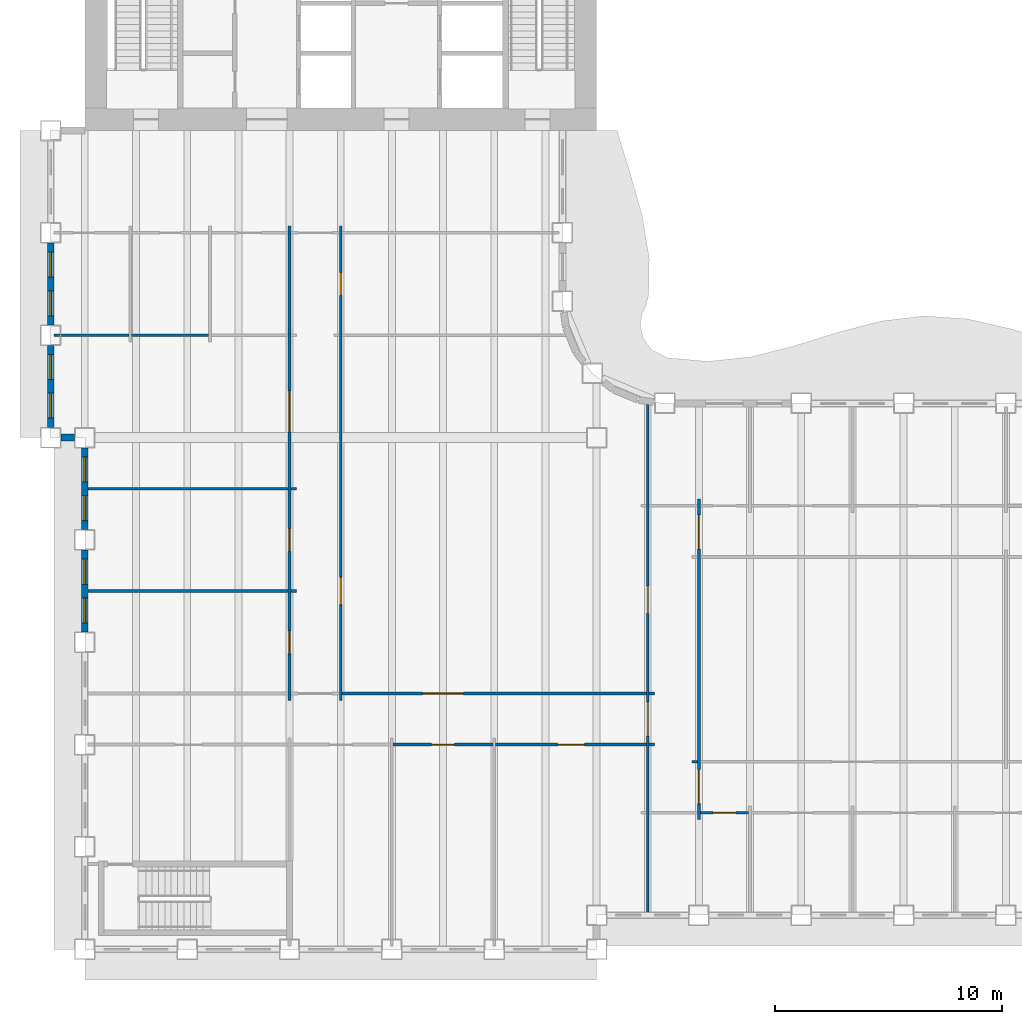
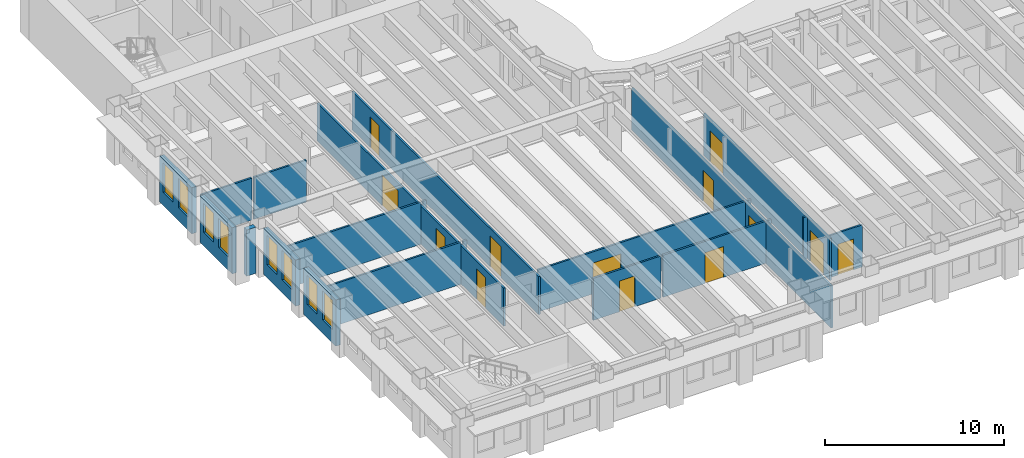
# One storey, part 4 of 16: 22 walls, 13 doors, 8 windows, 21 openings.
"""IFC4 building model written with IfcOpenShell, lengths in metres."""

from ifc_helpers import new_model, si_unit, direction, frame, frame_2d, origin, place, context, subcontext, project, spatial, rectangle, extrude, material, layer, layer_set, type_object, element, fill, save


model = new_model("IFC4")

# Units and contexts
model_context = context("Model", 3, precision=1e-05, world=origin(), true_north=direction((0.0, 1.0)))
body_context = subcontext(model_context, "Body", "Model", "MODEL_VIEW")
ifc_project = project(units=[si_unit("LENGTHUNIT", "METRE"), si_unit("AREAUNIT", "SQUARE_METRE"), si_unit("VOLUMEUNIT", "CUBIC_METRE"), si_unit("PLANEANGLEUNIT", "RADIAN"), si_unit("MASSUNIT", "GRAM", prefix="KILO")], contexts=[model_context])

# Site, building, storey
site_placement = place(None, origin())
site = spatial("IfcSite", under=ifc_project, at=site_placement, CompositionType="ELEMENT")
building_placement = place(site_placement, origin())
building = spatial("IfcBuilding", under=site, at=building_placement, Name="Sennacour Bend Tower", CompositionType="ELEMENT")
storey_placement = place(building_placement, frame((0.0, 0.0, 163.0)))
storey = spatial("IfcBuildingStorey", under=building, at=storey_placement, Name="L37", CompositionType="ELEMENT", Elevation=163.0)

# Wall, openings, doors
ifc_material_1 = material(Name="Plasterboard partition on steel studs", Category="steel")
ifc_layer_1 = layer(ifc_material_1, 0.1201171875, Name="Plasterboard partition on steel studs", Category="steel")
ifc_layer_set_1 = layer_set([ifc_layer_1], Name="Plasterboard partition on steel studs")
wall_type_1 = type_object("IfcWallType", Name="Partition 120", PredefinedType="PARTITIONING", material=ifc_layer_set_1)
wall_1_placement = place(storey_placement, frame((9.0, 10.949951171875, 0.0), z_axis=(0.0, 0.0, 1.0), x_axis=(0.0, 1.0, 0.0)))
wall_1 = element("IfcWall", 1, at=wall_1_placement, inside=storey, type_object=wall_type_1, Name="P-L37-W012a", PredefinedType="PARTITIONING", context=body_context, shape_type="SweptSolid", body=[
    extrude(rectangle(XDim=20.85009765625, YDim=0.1201171875, at=frame_2d((10.425048828125, 0.0))), origin(), (0.0, 0.0, 1.0), 2.60009765625),
])
opening_1_placement = place(wall_1_placement, frame((2.050048828125, 0.0, 0.0)))
opening_1 = element("IfcOpeningElement", 2, at=opening_1_placement, cuts=wall_1, Name="Opening OD2", PredefinedType="OPENING", context=body_context, shape_type="SweptSolid", body=[
    extrude(rectangle(XDim=1.0, YDim=2.10009765625, at=frame_2d((0.5, 1.050048828125))), frame((0.0, 0.070068359375, 0.0), z_axis=(0.0, -1.0, 0.0), x_axis=(1.0, 0.0, 0.0)), (0.0, 0.0, 1.0), 0.14013671875),
])
opening_2_placement = place(wall_1_placement, frame((6.550048828125, 0.0, 0.0)))
opening_2 = element("IfcOpeningElement", 3, at=opening_2_placement, cuts=wall_1, Name="Opening OD2", PredefinedType="OPENING", context=body_context, shape_type="SweptSolid", body=[
    extrude(rectangle(XDim=1.0, YDim=2.10009765625, at=frame_2d((0.5, 1.050048828125))), frame((0.0, 0.070068359375, 0.0), z_axis=(0.0, -1.0, 0.0), x_axis=(1.0, 0.0, 0.0)), (0.0, 0.0, 1.0), 0.14013671875),
])
opening_3_placement = place(wall_1_placement, frame((11.804931640625, 0.0, 0.0)))
opening_3 = element("IfcOpeningElement", 4, at=opening_3_placement, cuts=wall_1, Name="Opening OD3", PredefinedType="OPENING", context=body_context, shape_type="SweptSolid", body=[
    extrude(rectangle(XDim=1.800048828125, YDim=2.10009765625, at=frame_2d((0.89990234375, 1.050048828125))), frame((0.0, 0.070068359375, 0.0), z_axis=(0.0, -1.0, 0.0), x_axis=(1.0, 0.0, 0.0)), (0.0, 0.0, 1.0), 0.14013671875),
])
ifc_material_2 = material(Name="Timber", Category="wood")
door_type_1 = type_object("IfcDoorType", Name="DR-OFFICE-1000", OperationType="NOTDEFINED", PredefinedType="DOOR", material=ifc_material_2)
door_1_placement = place(opening_1_placement, origin())
door_1 = element("IfcDoor", 5, at=door_1_placement, inside=storey, type_object=door_type_1, Name="Door", OperationType="SINGLE_SWING_LEFT", OverallHeight=2.10009765625, OverallWidth=1.0, PredefinedType="DOOR", context=body_context, shape_type="SweptSolid", body=[
    extrude(rectangle(XDim=1.0, YDim=2.10009765625, at=frame_2d((0.5, 1.050048828125))), frame((0.0, 0.02490234375, 0.0), z_axis=(0.0, -1.0, 0.0), x_axis=(1.0, 0.0, 0.0)), (0.0, 0.0, 1.0), 0.050048828125),
])
fill(opening_1, door_1)
door_2_placement = place(opening_2_placement, origin())
door_2 = element("IfcDoor", 6, at=door_2_placement, inside=storey, type_object=door_type_1, Name="Door", OperationType="SINGLE_SWING_LEFT", OverallHeight=2.10009765625, OverallWidth=1.0, PredefinedType="DOOR", context=body_context, shape_type="SweptSolid", body=[
    extrude(rectangle(XDim=1.0, YDim=2.10009765625, at=frame_2d((0.5, 1.050048828125))), frame((0.0, 0.02490234375, 0.0), z_axis=(0.0, -1.0, 0.0), x_axis=(1.0, 0.0, 0.0)), (0.0, 0.0, 1.0), 0.050048828125),
])
fill(opening_2, door_2)
door_type_2 = type_object("IfcDoorType", Name="DR-OFFICE-1800", OperationType="NOTDEFINED", PredefinedType="DOOR", material=ifc_material_2)
door_3_placement = place(opening_3_placement, origin())
door_3 = element("IfcDoor", 7, at=door_3_placement, inside=storey, type_object=door_type_2, Name="Door", OperationType="DOUBLE_DOOR_SINGLE_SWING", OverallHeight=2.10009765625, OverallWidth=1.800048828125, PredefinedType="DOOR", context=body_context, shape_type="SweptSolid", body=[
    extrude(rectangle(XDim=1.800048828125, YDim=2.10009765625, at=frame_2d((0.89990234375, 1.050048828125))), frame((0.0, 0.02490234375, 0.0), z_axis=(0.0, -1.0, 0.0), x_axis=(1.0, 0.0, 0.0)), (0.0, 0.0, 1.0), 0.050048828125),
])
fill(opening_3, door_3)

wall_2_placement = place(storey_placement, frame((11.25, 10.949951171875, 0.0), z_axis=(0.0, 0.0, 1.0), x_axis=(0.0, 1.0, 0.0)))
wall_2 = element("IfcWall", 8, at=wall_2_placement, inside=storey, type_object=wall_type_1, Name="P-L37-W014a", PredefinedType="PARTITIONING", context=body_context, shape_type="SweptSolid", body=[
    extrude(rectangle(XDim=20.85009765625, YDim=0.1201171875, at=frame_2d((10.425048828125, 0.0))), origin(), (0.0, 0.0, 1.0), 2.60009765625),
])
opening_4_placement = place(wall_2_placement, frame((17.800048828125, 0.0, 0.0)))
opening_4 = element("IfcOpeningElement", 9, at=opening_4_placement, cuts=wall_2, Name="Opening OD2", PredefinedType="OPENING", context=body_context, shape_type="SweptSolid", body=[
    extrude(rectangle(XDim=1.0, YDim=2.10009765625, at=frame_2d((0.5, 1.050048828125))), frame((0.0, 0.070068359375, 0.0), z_axis=(0.0, -1.0, 0.0), x_axis=(1.0, 0.0, 0.0)), (0.0, 0.0, 1.0), 0.14013671875),
])
opening_5_placement = place(wall_2_placement, frame((4.199951171875, 0.0, 0.0)))
opening_5 = element("IfcOpeningElement", 10, at=opening_5_placement, cuts=wall_2, Name="Opening OD", PredefinedType="OPENING", context=body_context, shape_type="SweptSolid", body=[
    extrude(rectangle(XDim=1.199951171875, YDim=2.10009765625, at=frame_2d((0.60009765625, 1.050048828125))), frame((0.0, 0.070068359375, 0.0), z_axis=(0.0, -1.0, 0.0), x_axis=(1.0, 0.0, 0.0)), (0.0, 0.0, 1.0), 0.14013671875),
])
door_4_placement = place(opening_4_placement, origin())
door_4 = element("IfcDoor", 11, at=door_4_placement, inside=storey, type_object=door_type_1, Name="Door", OperationType="SINGLE_SWING_RIGHT", OverallHeight=2.10009765625, OverallWidth=1.0, PredefinedType="DOOR", context=body_context, shape_type="SweptSolid", body=[
    extrude(rectangle(XDim=1.0, YDim=2.10009765625, at=frame_2d((0.5, 1.050048828125))), frame((0.0, 0.02490234375, 0.0), z_axis=(0.0, -1.0, 0.0), x_axis=(1.0, 0.0, 0.0)), (0.0, 0.0, 1.0), 0.050048828125),
])
fill(opening_4, door_4)
door_type_3 = type_object("IfcDoorType", Name="DR-OFFICE-1200", OperationType="NOTDEFINED", PredefinedType="DOOR", material=ifc_material_2)
door_5_placement = place(opening_5_placement, origin())
door_5 = element("IfcDoor", 12, at=door_5_placement, inside=storey, type_object=door_type_3, Name="Door", OperationType="SINGLE_SWING_LEFT", OverallHeight=2.10009765625, OverallWidth=1.199951171875, PredefinedType="DOOR", context=body_context, shape_type="SweptSolid", body=[
    extrude(rectangle(XDim=1.199951171875, YDim=2.10009765625, at=frame_2d((0.60009765625, 1.050048828125))), frame((0.0, 0.02490234375, 0.0), z_axis=(0.0, -1.0, 0.0), x_axis=(1.0, 0.0, 0.0)), (0.0, 0.0, 1.0), 0.050048828125),
])
fill(opening_5, door_5)

# Wall, opening, door
wall_3_placement = place(storey_placement, frame((27.06005859375, 6.0, 0.0), z_axis=(0.0, 0.0, 1.0), x_axis=(1.0, 0.0, 0.0)))
wall_3 = element("IfcWall", 13, at=wall_3_placement, inside=storey, type_object=wall_type_1, Name="P-L37-W058ac", PredefinedType="PARTITIONING", context=body_context, shape_type="SweptSolid", body=[
    extrude(rectangle(XDim=2.1298828125, YDim=0.1201171875, at=frame_2d((1.06494140625, 0.0))), origin(), (0.0, 0.0, 1.0), 2.8701171875),
])
opening_6_placement = place(wall_3_placement, frame((0.56494140625, 0.0, 0.0)))
opening_6 = element("IfcOpeningElement", 14, at=opening_6_placement, cuts=wall_3, Name="Opening OD2", PredefinedType="OPENING", context=body_context, shape_type="SweptSolid", body=[
    extrude(rectangle(XDim=1.0, YDim=2.10009765625, at=frame_2d((0.5, 1.050048828125))), frame((0.0, 0.070068359375, 0.0), z_axis=(0.0, -1.0, 0.0), x_axis=(1.0, 0.0, 0.0)), (0.0, 0.0, 1.0), 0.14013671875),
])
door_6_placement = place(opening_6_placement, origin())
door_6 = element("IfcDoor", 15, at=door_6_placement, inside=storey, type_object=door_type_1, Name="Door", OperationType="SINGLE_SWING_LEFT", OverallHeight=2.10009765625, OverallWidth=1.0, PredefinedType="DOOR", context=body_context, shape_type="SweptSolid", body=[
    extrude(rectangle(XDim=1.0, YDim=2.10009765625, at=frame_2d((0.5, 1.050048828125))), frame((0.0, 0.02490234375, 0.0), z_axis=(0.0, -1.0, 0.0), x_axis=(1.0, 0.0, 0.0)), (0.0, 0.0, 1.0), 0.050048828125),
])
fill(opening_6, door_6)

# Wall
wall_4_placement = place(storey_placement, frame((26.699951171875, 8.25, 0.0), z_axis=(0.0, 0.0, 1.0), x_axis=(1.0, 0.0, 0.0)))
element("IfcWall", 16, at=wall_4_placement, inside=storey, type_object=wall_type_1, Name="P-L37-W060aa", PredefinedType="PARTITIONING", context=body_context, shape_type="SweptSolid", body=[
    extrude(rectangle(XDim=0.239990234375, YDim=0.1201171875, at=frame_2d((0.1201171875, 0.0))), origin(), (0.0, 0.0, 1.0), 2.8701171875),
])

# Wall, opening, door
wall_5_placement = place(storey_placement, frame((13.56005859375, 9.0, 0.0), z_axis=(0.0, 0.0, 1.0), x_axis=(1.0, 0.0, 0.0)))
wall_5 = element("IfcWall", 17, at=wall_5_placement, inside=storey, type_object=wall_type_1, Name="P-L37-W061ac", PredefinedType="PARTITIONING", context=body_context, shape_type="SweptSolid", body=[
    extrude(rectangle(XDim=4.3798828125, YDim=0.1201171875, at=frame_2d((2.18994140625, 0.0))), origin(), (0.0, 0.0, 1.0), 2.8701171875),
])
opening_7_placement = place(wall_5_placement, frame((1.68994140625, 0.0, 0.0)))
opening_7 = element("IfcOpeningElement", 18, at=opening_7_placement, cuts=wall_5, Name="Opening OD2", PredefinedType="OPENING", context=body_context, shape_type="SweptSolid", body=[
    extrude(rectangle(XDim=1.0, YDim=2.10009765625, at=frame_2d((0.5, 1.050048828125))), frame((0.0, 0.070068359375, 0.0), z_axis=(0.0, -1.0, 0.0), x_axis=(1.0, 0.0, 0.0)), (0.0, 0.0, 1.0), 0.14013671875),
])
door_7_placement = place(opening_7_placement, origin())
door_7 = element("IfcDoor", 19, at=door_7_placement, inside=storey, type_object=door_type_1, Name="Door", OperationType="SINGLE_SWING_LEFT", OverallHeight=2.10009765625, OverallWidth=1.0, PredefinedType="DOOR", context=body_context, shape_type="SweptSolid", body=[
    extrude(rectangle(XDim=1.0, YDim=2.10009765625, at=frame_2d((0.5, 1.050048828125))), frame((0.0, 0.02490234375, 0.0), z_axis=(0.0, -1.0, 0.0), x_axis=(1.0, 0.0, 0.0)), (0.0, 0.0, 1.0), 0.050048828125),
])
fill(opening_7, door_7)

wall_6_placement = place(storey_placement, frame((18.06005859375, 9.0, 0.0), z_axis=(0.0, 0.0, 1.0), x_axis=(1.0, 0.0, 0.0)))
wall_6 = element("IfcWall", 20, at=wall_6_placement, inside=storey, type_object=wall_type_1, Name="P-L37-W061ad", PredefinedType="PARTITIONING", context=body_context, shape_type="SweptSolid", body=[
    extrude(rectangle(XDim=6.6298828125, YDim=0.1201171875, at=frame_2d((3.31494140625, 0.0))), origin(), (0.0, 0.0, 1.0), 2.8701171875),
])
opening_8_placement = place(wall_6_placement, frame((2.71484375, 0.0, 0.0)))
opening_8 = element("IfcOpeningElement", 21, at=opening_8_placement, cuts=wall_6, Name="Opening OD", PredefinedType="OPENING", context=body_context, shape_type="SweptSolid", body=[
    extrude(rectangle(XDim=1.199951171875, YDim=2.10009765625, at=frame_2d((0.60009765625, 1.050048828125))), frame((0.0, 0.070068359375, 0.0), z_axis=(0.0, -1.0, 0.0), x_axis=(1.0, 0.0, 0.0)), (0.0, 0.0, 1.0), 0.14013671875),
])
door_8_placement = place(opening_8_placement, origin())
door_8 = element("IfcDoor", 22, at=door_8_placement, inside=storey, type_object=door_type_3, Name="Door", OperationType="SINGLE_SWING_LEFT", OverallHeight=2.10009765625, OverallWidth=1.199951171875, PredefinedType="DOOR", context=body_context, shape_type="SweptSolid", body=[
    extrude(rectangle(XDim=1.199951171875, YDim=2.10009765625, at=frame_2d((0.60009765625, 1.050048828125))), frame((0.0, 0.02490234375, 0.0), z_axis=(0.0, -1.0, 0.0), x_axis=(1.0, 0.0, 0.0)), (0.0, 0.0, 1.0), 0.050048828125),
])
fill(opening_8, door_8)

# Wall
wall_7_placement = place(storey_placement, frame((24.81005859375, 9.0, 0.0), z_axis=(0.0, 0.0, 1.0), x_axis=(1.0, 0.0, 0.0)))
element("IfcWall", 23, at=wall_7_placement, inside=storey, type_object=wall_type_1, Name="P-L37-W061ae", PredefinedType="PARTITIONING", context=body_context, shape_type="SweptSolid", body=[
    extrude(rectangle(XDim=0.239990234375, YDim=0.1201171875, at=frame_2d((0.1201171875, 0.0))), origin(), (0.0, 0.0, 1.0), 2.8701171875),
])

# Wall, opening, door
wall_8_placement = place(storey_placement, frame((11.31005859375, 11.25, 0.0), z_axis=(0.0, 0.0, 1.0), x_axis=(1.0, 0.0, 0.0)))
wall_8 = element("IfcWall", 24, at=wall_8_placement, inside=storey, type_object=wall_type_1, Name="P-L37-W063ac", PredefinedType="PARTITIONING", context=body_context, shape_type="SweptSolid", body=[
    extrude(rectangle(XDim=13.3798828125, YDim=0.1201171875, at=frame_2d((6.68994140625, 0.0))), origin(), (0.0, 0.0, 1.0), 2.8701171875),
])
opening_9_placement = place(wall_8_placement, frame((3.539794921875, 0.0, 0.0)))
opening_9 = element("IfcOpeningElement", 25, at=opening_9_placement, cuts=wall_8, Name="Opening OD3", PredefinedType="OPENING", context=body_context, shape_type="SweptSolid", body=[
    extrude(rectangle(XDim=1.800048828125, YDim=2.10009765625, at=frame_2d((0.89990234375, 1.050048828125))), frame((0.0, 0.070068359375, 0.0), z_axis=(0.0, -1.0, 0.0), x_axis=(1.0, 0.0, 0.0)), (0.0, 0.0, 1.0), 0.14013671875),
])
door_9_placement = place(opening_9_placement, origin())
door_9 = element("IfcDoor", 26, at=door_9_placement, inside=storey, type_object=door_type_2, Name="Door", OperationType="DOUBLE_DOOR_SINGLE_SWING", OverallHeight=2.10009765625, OverallWidth=1.800048828125, PredefinedType="DOOR", context=body_context, shape_type="SweptSolid", body=[
    extrude(rectangle(XDim=1.800048828125, YDim=2.10009765625, at=frame_2d((0.89990234375, 1.050048828125))), frame((0.0, 0.02490234375, 0.0), z_axis=(0.0, -1.0, 0.0), x_axis=(1.0, 0.0, 0.0)), (0.0, 0.0, 1.0), 0.050048828125),
])
fill(opening_9, door_9)

# Walls
wall_9_placement = place(storey_placement, frame((24.81005859375, 11.25, 0.0), z_axis=(0.0, 0.0, 1.0), x_axis=(1.0, 0.0, 0.0)))
element("IfcWall", 27, at=wall_9_placement, inside=storey, type_object=wall_type_1, Name="P-L37-W063ad", PredefinedType="PARTITIONING", context=body_context, shape_type="SweptSolid", body=[
    extrude(rectangle(XDim=0.239990234375, YDim=0.1201171875, at=frame_2d((0.1201171875, 0.0))), origin(), (0.0, 0.0, 1.0), 2.8701171875),
])
wall_10_placement = place(storey_placement, frame((0.14990234375, 15.75, 0.0), z_axis=(0.0, 0.0, 1.0), x_axis=(1.0, 0.0, 0.0)))
element("IfcWall", 28, at=wall_10_placement, inside=storey, type_object=wall_type_1, Name="P-L37-W069aa", PredefinedType="PARTITIONING", context=body_context, shape_type="SweptSolid", body=[
    extrude(rectangle(XDim=8.7900390625, YDim=0.1201171875, at=frame_2d((4.39501953125, 0.0))), origin(), (0.0, 0.0, 1.0), 2.8701171875),
])
wall_11_placement = place(storey_placement, frame((9.06005859375, 15.75, 0.0), z_axis=(0.0, 0.0, 1.0), x_axis=(1.0, 0.0, 0.0)))
element("IfcWall", 29, at=wall_11_placement, inside=storey, type_object=wall_type_1, Name="P-L37-W069ab", PredefinedType="PARTITIONING", context=body_context, shape_type="SweptSolid", body=[
    extrude(rectangle(XDim=0.239990234375, YDim=0.1201171875, at=frame_2d((0.1201171875, 0.0))), origin(), (0.0, 0.0, 1.0), 2.8701171875),
])
wall_12_placement = place(storey_placement, frame((0.14990234375, 20.25, 0.0), z_axis=(0.0, 0.0, 1.0), x_axis=(1.0, 0.0, 0.0)))
element("IfcWall", 30, at=wall_12_placement, inside=storey, type_object=wall_type_1, Name="P-L37-W075aa", PredefinedType="PARTITIONING", context=body_context, shape_type="SweptSolid", body=[
    extrude(rectangle(XDim=8.7900390625, YDim=0.1201171875, at=frame_2d((4.39501953125, 0.0))), origin(), (0.0, 0.0, 1.0), 2.8701171875),
])
wall_13_placement = place(storey_placement, frame((9.06005859375, 20.25, 0.0), z_axis=(0.0, 0.0, 1.0), x_axis=(1.0, 0.0, 0.0)))
element("IfcWall", 31, at=wall_13_placement, inside=storey, type_object=wall_type_1, Name="P-L37-W075ab", PredefinedType="PARTITIONING", context=body_context, shape_type="SweptSolid", body=[
    extrude(rectangle(XDim=0.239990234375, YDim=0.1201171875, at=frame_2d((0.1201171875, 0.0))), origin(), (0.0, 0.0, 1.0), 2.8701171875),
])
wall_14_placement = place(storey_placement, frame((-1.35009765625, 27.0, 0.0), z_axis=(0.0, 0.0, 1.0), x_axis=(1.0, 0.0, 0.0)))
element("IfcWall", 32, at=wall_14_placement, inside=storey, type_object=wall_type_1, Name="P-L37-W077aa", PredefinedType="PARTITIONING", context=body_context, shape_type="SweptSolid", body=[
    extrude(rectangle(XDim=3.2900390625, YDim=0.1201171875, at=frame_2d((1.64501953125, 0.0))), origin(), (0.0, 0.0, 1.0), 2.8701171875),
])
wall_15_placement = place(storey_placement, frame((2.06005859375, 27.0, 0.0), z_axis=(0.0, 0.0, 1.0), x_axis=(1.0, 0.0, 0.0)))
element("IfcWall", 33, at=wall_15_placement, inside=storey, type_object=wall_type_1, Name="P-L37-W077ab", PredefinedType="PARTITIONING", context=body_context, shape_type="SweptSolid", body=[
    extrude(rectangle(XDim=3.3798828125, YDim=0.1201171875, at=frame_2d((1.68994140625, 0.0))), origin(), (0.0, 0.0, 1.0), 2.8701171875),
])

# Wall, openings, doors
ifc_layer_2 = layer(ifc_material_1, 0.1201171875, Name="Plasterboard partition on steel studs", Category="steel")
ifc_layer_set_2 = layer_set([ifc_layer_2], Name="Plasterboard partition on steel studs")
wall_type_2 = type_object("IfcWallType", Name="Partition 120 EI 30", PredefinedType="PARTITIONING", material=ifc_layer_set_2)
wall_16_placement = place(storey_placement, frame((24.75, 1.64990234375, 0.0), z_axis=(0.0, 0.0, 1.0), x_axis=(0.0, 1.0, 0.0)))
wall_16 = element("IfcWall", 34, at=wall_16_placement, inside=storey, type_object=wall_type_2, Name="P-L37-W024a", PredefinedType="PARTITIONING", context=body_context, shape_type="SweptSolid", body=[
    extrude(rectangle(XDim=22.297607421875, YDim=0.1201171875, at=frame_2d((11.14892578125, 0.0))), origin(), (0.0, 0.0, 1.0), 2.8701171875),
])
opening_10_placement = place(wall_16_placement, frame((7.72509765625, 0.0, 0.0)))
opening_10 = element("IfcOpeningElement", 35, at=opening_10_placement, cuts=wall_16, Name="Opening KD", PredefinedType="OPENING", context=body_context, shape_type="SweptSolid", body=[
    extrude(rectangle(XDim=1.5, YDim=2.10009765625, at=frame_2d((0.75, 1.050048828125))), frame((0.0, 0.070068359375, 0.0), z_axis=(0.0, -1.0, 0.0), x_axis=(1.0, 0.0, 0.0)), (0.0, 0.0, 1.0), 0.14013671875),
])
opening_11_placement = place(wall_16_placement, frame((13.125, 0.0, 0.0)))
opening_11 = element("IfcOpeningElement", 36, at=opening_11_placement, cuts=wall_16, Name="Opening OD", PredefinedType="OPENING", context=body_context, shape_type="SweptSolid", body=[
    extrude(rectangle(XDim=1.199951171875, YDim=2.10009765625, at=frame_2d((0.60009765625, 1.050048828125))), frame((0.0, 0.070068359375, 0.0), z_axis=(0.0, -1.0, 0.0), x_axis=(1.0, 0.0, 0.0)), (0.0, 0.0, 1.0), 0.14013671875),
])
ifc_material_3 = material(Name="Painted steel", Category="steel")
door_type_4 = type_object("IfcDoorType", Name="DR-CORRIDOR-1500", OperationType="NOTDEFINED", PredefinedType="DOOR", material=ifc_material_3)
door_10_placement = place(opening_10_placement, origin())
door_10 = element("IfcDoor", 37, at=door_10_placement, inside=storey, type_object=door_type_4, Name="Door", OperationType="SINGLE_SWING_LEFT", OverallHeight=2.10009765625, OverallWidth=1.5, PredefinedType="DOOR", context=body_context, shape_type="SweptSolid", body=[
    extrude(rectangle(XDim=1.5, YDim=2.10009765625, at=frame_2d((0.75, 1.050048828125))), frame((0.0, 0.02490234375, 0.0), z_axis=(0.0, -1.0, 0.0), x_axis=(1.0, 0.0, 0.0)), (0.0, 0.0, 1.0), 0.050048828125),
])
fill(opening_10, door_10)
door_11_placement = place(opening_11_placement, origin())
door_11 = element("IfcDoor", 38, at=door_11_placement, inside=storey, type_object=door_type_3, Name="Door", OperationType="SINGLE_SWING_RIGHT", OverallHeight=2.10009765625, OverallWidth=1.199951171875, PredefinedType="DOOR", context=body_context, shape_type="SweptSolid", body=[
    extrude(rectangle(XDim=1.199951171875, YDim=2.10009765625, at=frame_2d((0.60009765625, 1.050048828125))), frame((0.0, 0.02490234375, 0.0), z_axis=(0.0, -1.0, 0.0), x_axis=(1.0, 0.0, 0.0)), (0.0, 0.0, 1.0), 0.050048828125),
])
fill(opening_11, door_11)

wall_17_placement = place(storey_placement, frame((27.0, 5.699951171875, 0.0), z_axis=(0.0, 0.0, 1.0), x_axis=(0.0, 1.0, 0.0)))
wall_17 = element("IfcWall", 39, at=wall_17_placement, inside=storey, type_object=wall_type_2, Name="P-L37-W025a", PredefinedType="PARTITIONING", context=body_context, shape_type="SweptSolid", body=[
    extrude(rectangle(XDim=14.10009765625, YDim=0.1201171875, at=frame_2d((7.050048828125, 0.0))), origin(), (0.0, 0.0, 1.0), 2.8701171875),
])
opening_12_placement = place(wall_17_placement, frame((0.705078125, 0.0, 0.0)))
opening_12 = element("IfcOpeningElement", 40, at=opening_12_placement, cuts=wall_17, Name="Opening KD", PredefinedType="OPENING", context=body_context, shape_type="SweptSolid", body=[
    extrude(rectangle(XDim=1.5, YDim=2.10009765625, at=frame_2d((0.75, 1.050048828125))), frame((0.0, 0.070068359375, 0.0), z_axis=(0.0, -1.0, 0.0), x_axis=(1.0, 0.0, 0.0)), (0.0, 0.0, 1.0), 0.14013671875),
])
opening_13_placement = place(wall_17_placement, frame((11.89501953125, 0.0, 0.0)))
opening_13 = element("IfcOpeningElement", 41, at=opening_13_placement, cuts=wall_17, Name="Opening KD", PredefinedType="OPENING", context=body_context, shape_type="SweptSolid", body=[
    extrude(rectangle(XDim=1.5, YDim=2.10009765625, at=frame_2d((0.75, 1.050048828125))), frame((0.0, 0.070068359375, 0.0), z_axis=(0.0, -1.0, 0.0), x_axis=(1.0, 0.0, 0.0)), (0.0, 0.0, 1.0), 0.14013671875),
])
door_12_placement = place(opening_12_placement, origin())
door_12 = element("IfcDoor", 42, at=door_12_placement, inside=storey, type_object=door_type_4, Name="Door", OperationType="SINGLE_SWING_LEFT", OverallHeight=2.10009765625, OverallWidth=1.5, PredefinedType="DOOR", context=body_context, shape_type="SweptSolid", body=[
    extrude(rectangle(XDim=1.5, YDim=2.10009765625, at=frame_2d((0.75, 1.050048828125))), frame((0.0, 0.02490234375, 0.0), z_axis=(0.0, -1.0, 0.0), x_axis=(1.0, 0.0, 0.0)), (0.0, 0.0, 1.0), 0.050048828125),
])
fill(opening_12, door_12)
door_13_placement = place(opening_13_placement, origin())
door_13 = element("IfcDoor", 43, at=door_13_placement, inside=storey, type_object=door_type_4, Name="Door", OperationType="SINGLE_SWING_RIGHT", OverallHeight=2.10009765625, OverallWidth=1.5, PredefinedType="DOOR", context=body_context, shape_type="SweptSolid", body=[
    extrude(rectangle(XDim=1.5, YDim=2.10009765625, at=frame_2d((0.75, 1.050048828125))), frame((0.0, 0.02490234375, 0.0), z_axis=(0.0, -1.0, 0.0), x_axis=(1.0, 0.0, 0.0)), (0.0, 0.0, 1.0), 0.050048828125),
])
fill(opening_13, door_13)

# Wall, openings, windows
ifc_material_4 = material(Name="Warm limestone cladding", Category="masonry")
ifc_layer_3 = layer(ifc_material_4, 0.050048828125, Name="Warm limestone cladding", Category="masonry")
ifc_material_5 = material(Name="Precast concrete C40/50", Category="concrete")
ifc_layer_4 = layer(ifc_material_5, 0.25, Name="Precast concrete C40/50", Category="concrete")
ifc_layer_set_3 = layer_set([ifc_layer_3, ifc_layer_4], Name="Precast concrete C40/50 with limestone cladding")
wall_type_3 = type_object("IfcWallType", Name="STONE-CLAD PRECAST SPANDREL 300", PredefinedType="STANDARD", material=ifc_layer_set_3)
wall_18_placement = place(storey_placement, frame((-1.5, 31.050048828125, 0.0), z_axis=(0.0, 0.0, 1.0), x_axis=(0.0, -1.0, 0.0)))
wall_18 = element("IfcWall", 44, at=wall_18_placement, inside=storey, type_object=wall_type_3, Name="Stone spandrel and pier wall L37 21.01", PredefinedType="STANDARD", context=body_context, shape_type="SweptSolid", body=[
    extrude(rectangle(XDim=3.60009765625, YDim=0.300048828125, at=frame_2d((1.800048828125, 0.0))), origin(), (0.0, 0.0, 1.0), 3.14892578125),
])
opening_14_placement = place(wall_18_placement, frame((0.39990234375, 0.0, 0.89990234375)))
opening_14 = element("IfcOpeningElement", 45, at=opening_14_placement, cuts=wall_18, Name="Opening W19", PredefinedType="OPENING", context=body_context, shape_type="SweptSolid", body=[
    extrude(rectangle(XDim=1.10009765625, YDim=2.0, at=frame_2d((0.550048828125, 1.0))), frame((0.0, 0.16015625, 0.0), z_axis=(0.0, -1.0, 0.0), x_axis=(1.0, 0.0, 0.0)), (0.0, 0.0, 1.0), 0.320068359375),
])
opening_15_placement = place(wall_18_placement, frame((2.10009765625, 0.0, 0.89990234375)))
opening_15 = element("IfcOpeningElement", 46, at=opening_15_placement, cuts=wall_18, Name="Opening W19", PredefinedType="OPENING", context=body_context, shape_type="SweptSolid", body=[
    extrude(rectangle(XDim=1.10009765625, YDim=2.0, at=frame_2d((0.550048828125, 1.0))), frame((0.0, 0.16015625, 0.0), z_axis=(0.0, -1.0, 0.0), x_axis=(1.0, 0.0, 0.0)), (0.0, 0.0, 1.0), 0.320068359375),
])
ifc_material_6 = material(Name="Clear low-emissivity glass", Category="glass")
window_type = type_object("IfcWindowType", Name="WIN-RIBBON-1100x2000", PartitioningType="SINGLE_PANEL", PredefinedType="WINDOW", material=ifc_material_6)
window_1_placement = place(opening_14_placement, origin())
window_1 = element("IfcWindow", 47, at=window_1_placement, inside=storey, type_object=window_type, Name="Ribbon window L37 21.01.0", OverallHeight=2.0, OverallWidth=1.10009765625, PartitioningType="SINGLE_PANEL", PredefinedType="WINDOW", context=body_context, shape_type="SweptSolid", body=[
    extrude(rectangle(XDim=1.10009765625, YDim=2.0, at=frame_2d((0.550048828125, 1.0))), frame((0.0, 0.030029296875, 0.0), z_axis=(0.0, -1.0, 0.0), x_axis=(1.0, 0.0, 0.0)), (0.0, 0.0, 1.0), 0.06005859375),
])
fill(opening_14, window_1)
window_2_placement = place(opening_15_placement, origin())
window_2 = element("IfcWindow", 48, at=window_2_placement, inside=storey, type_object=window_type, Name="Ribbon window L37 21.01.1", OverallHeight=2.0, OverallWidth=1.10009765625, PartitioningType="SINGLE_PANEL", PredefinedType="WINDOW", context=body_context, shape_type="SweptSolid", body=[
    extrude(rectangle(XDim=1.10009765625, YDim=2.0, at=frame_2d((0.550048828125, 1.0))), frame((0.0, 0.030029296875, 0.0), z_axis=(0.0, -1.0, 0.0), x_axis=(1.0, 0.0, 0.0)), (0.0, 0.0, 1.0), 0.06005859375),
])
fill(opening_15, window_2)

wall_19_placement = place(storey_placement, frame((-1.5, 26.550048828125, 0.0), z_axis=(0.0, 0.0, 1.0), x_axis=(0.0, -1.0, 0.0)))
wall_19 = element("IfcWall", 49, at=wall_19_placement, inside=storey, type_object=wall_type_3, Name="Stone spandrel and pier wall L37 21.02", PredefinedType="STANDARD", context=body_context, shape_type="SweptSolid", body=[
    extrude(rectangle(XDim=3.60009765625, YDim=0.300048828125, at=frame_2d((1.800048828125, 0.0))), origin(), (0.0, 0.0, 1.0), 3.14892578125),
])
opening_16_placement = place(wall_19_placement, frame((0.39990234375, 0.0, 0.89990234375)))
opening_16 = element("IfcOpeningElement", 50, at=opening_16_placement, cuts=wall_19, Name="Opening W19", PredefinedType="OPENING", context=body_context, shape_type="SweptSolid", body=[
    extrude(rectangle(XDim=1.10009765625, YDim=2.0, at=frame_2d((0.550048828125, 1.0))), frame((0.0, 0.16015625, 0.0), z_axis=(0.0, -1.0, 0.0), x_axis=(1.0, 0.0, 0.0)), (0.0, 0.0, 1.0), 0.320068359375),
])
opening_17_placement = place(wall_19_placement, frame((2.10009765625, 0.0, 0.89990234375)))
opening_17 = element("IfcOpeningElement", 51, at=opening_17_placement, cuts=wall_19, Name="Opening W19", PredefinedType="OPENING", context=body_context, shape_type="SweptSolid", body=[
    extrude(rectangle(XDim=1.10009765625, YDim=2.0, at=frame_2d((0.550048828125, 1.0))), frame((0.0, 0.16015625, 0.0), z_axis=(0.0, -1.0, 0.0), x_axis=(1.0, 0.0, 0.0)), (0.0, 0.0, 1.0), 0.320068359375),
])
window_3_placement = place(opening_16_placement, origin())
window_3 = element("IfcWindow", 52, at=window_3_placement, inside=storey, type_object=window_type, Name="Ribbon window L37 21.02.0", OverallHeight=2.0, OverallWidth=1.10009765625, PartitioningType="SINGLE_PANEL", PredefinedType="WINDOW", context=body_context, shape_type="SweptSolid", body=[
    extrude(rectangle(XDim=1.10009765625, YDim=2.0, at=frame_2d((0.550048828125, 1.0))), frame((0.0, 0.030029296875, 0.0), z_axis=(0.0, -1.0, 0.0), x_axis=(1.0, 0.0, 0.0)), (0.0, 0.0, 1.0), 0.06005859375),
])
fill(opening_16, window_3)
window_4_placement = place(opening_17_placement, origin())
window_4 = element("IfcWindow", 53, at=window_4_placement, inside=storey, type_object=window_type, Name="Ribbon window L37 21.02.1", OverallHeight=2.0, OverallWidth=1.10009765625, PartitioningType="SINGLE_PANEL", PredefinedType="WINDOW", context=body_context, shape_type="SweptSolid", body=[
    extrude(rectangle(XDim=1.10009765625, YDim=2.0, at=frame_2d((0.550048828125, 1.0))), frame((0.0, 0.030029296875, 0.0), z_axis=(0.0, -1.0, 0.0), x_axis=(1.0, 0.0, 0.0)), (0.0, 0.0, 1.0), 0.06005859375),
])
fill(opening_17, window_4)

# Wall
wall_20_placement = place(storey_placement, frame((-1.050048828125, 22.5, 0.0), z_axis=(0.0, 0.0, 1.0), x_axis=(1.0, 0.0, 0.0)))
element("IfcWall", 54, at=wall_20_placement, inside=storey, type_object=wall_type_3, Name="Stone spandrel and pier wall L37 22.00", PredefinedType="STANDARD", context=body_context, shape_type="SweptSolid", body=[
    extrude(rectangle(XDim=0.60009765625, YDim=0.300048828125, at=frame_2d((0.300048828125, 0.0))), origin(), (0.0, 0.0, 1.0), 3.14892578125),
])

# Wall, openings, windows
wall_21_placement = place(storey_placement, frame((0.0, 22.050048828125, 0.0), z_axis=(0.0, 0.0, 1.0), x_axis=(0.0, -1.0, 0.0)))
wall_21 = element("IfcWall", 55, at=wall_21_placement, inside=storey, type_object=wall_type_3, Name="Stone spandrel and pier wall L37 23.00", PredefinedType="STANDARD", context=body_context, shape_type="SweptSolid", body=[
    extrude(rectangle(XDim=3.60009765625, YDim=0.300048828125, at=frame_2d((1.800048828125, 0.0))), origin(), (0.0, 0.0, 1.0), 3.14892578125),
])
opening_18_placement = place(wall_21_placement, frame((0.39990234375, 0.0, 0.89990234375)))
opening_18 = element("IfcOpeningElement", 56, at=opening_18_placement, cuts=wall_21, Name="Opening W19", PredefinedType="OPENING", context=body_context, shape_type="SweptSolid", body=[
    extrude(rectangle(XDim=1.10009765625, YDim=2.0, at=frame_2d((0.550048828125, 1.0))), frame((0.0, 0.16015625, 0.0), z_axis=(0.0, -1.0, 0.0), x_axis=(1.0, 0.0, 0.0)), (0.0, 0.0, 1.0), 0.320068359375),
])
opening_19_placement = place(wall_21_placement, frame((2.10009765625, 0.0, 0.89990234375)))
opening_19 = element("IfcOpeningElement", 57, at=opening_19_placement, cuts=wall_21, Name="Opening W19", PredefinedType="OPENING", context=body_context, shape_type="SweptSolid", body=[
    extrude(rectangle(XDim=1.10009765625, YDim=2.0, at=frame_2d((0.550048828125, 1.0))), frame((0.0, 0.16015625, 0.0), z_axis=(0.0, -1.0, 0.0), x_axis=(1.0, 0.0, 0.0)), (0.0, 0.0, 1.0), 0.320068359375),
])
window_5_placement = place(opening_18_placement, origin())
window_5 = element("IfcWindow", 58, at=window_5_placement, inside=storey, type_object=window_type, Name="Ribbon window L37 23.00.0", OverallHeight=2.0, OverallWidth=1.10009765625, PartitioningType="SINGLE_PANEL", PredefinedType="WINDOW", context=body_context, shape_type="SweptSolid", body=[
    extrude(rectangle(XDim=1.10009765625, YDim=2.0, at=frame_2d((0.550048828125, 1.0))), frame((0.0, 0.030029296875, 0.0), z_axis=(0.0, -1.0, 0.0), x_axis=(1.0, 0.0, 0.0)), (0.0, 0.0, 1.0), 0.06005859375),
])
fill(opening_18, window_5)
window_6_placement = place(opening_19_placement, origin())
window_6 = element("IfcWindow", 59, at=window_6_placement, inside=storey, type_object=window_type, Name="Ribbon window L37 23.00.1", OverallHeight=2.0, OverallWidth=1.10009765625, PartitioningType="SINGLE_PANEL", PredefinedType="WINDOW", context=body_context, shape_type="SweptSolid", body=[
    extrude(rectangle(XDim=1.10009765625, YDim=2.0, at=frame_2d((0.550048828125, 1.0))), frame((0.0, 0.030029296875, 0.0), z_axis=(0.0, -1.0, 0.0), x_axis=(1.0, 0.0, 0.0)), (0.0, 0.0, 1.0), 0.06005859375),
])
fill(opening_19, window_6)

wall_22_placement = place(storey_placement, frame((0.0, 17.550048828125, 0.0), z_axis=(0.0, 0.0, 1.0), x_axis=(0.0, -1.0, 0.0)))
wall_22 = element("IfcWall", 60, at=wall_22_placement, inside=storey, type_object=wall_type_3, Name="Stone spandrel and pier wall L37 23.01", PredefinedType="STANDARD", context=body_context, shape_type="SweptSolid", body=[
    extrude(rectangle(XDim=3.60009765625, YDim=0.300048828125, at=frame_2d((1.800048828125, 0.0))), origin(), (0.0, 0.0, 1.0), 3.14892578125),
])
opening_20_placement = place(wall_22_placement, frame((0.39990234375, 0.0, 0.89990234375)))
opening_20 = element("IfcOpeningElement", 61, at=opening_20_placement, cuts=wall_22, Name="Opening W19", PredefinedType="OPENING", context=body_context, shape_type="SweptSolid", body=[
    extrude(rectangle(XDim=1.10009765625, YDim=2.0, at=frame_2d((0.550048828125, 1.0))), frame((0.0, 0.16015625, 0.0), z_axis=(0.0, -1.0, 0.0), x_axis=(1.0, 0.0, 0.0)), (0.0, 0.0, 1.0), 0.320068359375),
])
opening_21_placement = place(wall_22_placement, frame((2.10009765625, 0.0, 0.89990234375)))
opening_21 = element("IfcOpeningElement", 62, at=opening_21_placement, cuts=wall_22, Name="Opening W19", PredefinedType="OPENING", context=body_context, shape_type="SweptSolid", body=[
    extrude(rectangle(XDim=1.10009765625, YDim=2.0, at=frame_2d((0.550048828125, 1.0))), frame((0.0, 0.16015625, 0.0), z_axis=(0.0, -1.0, 0.0), x_axis=(1.0, 0.0, 0.0)), (0.0, 0.0, 1.0), 0.320068359375),
])
window_7_placement = place(opening_20_placement, origin())
window_7 = element("IfcWindow", 63, at=window_7_placement, inside=storey, type_object=window_type, Name="Ribbon window L37 23.01.0", OverallHeight=2.0, OverallWidth=1.10009765625, PartitioningType="SINGLE_PANEL", PredefinedType="WINDOW", context=body_context, shape_type="SweptSolid", body=[
    extrude(rectangle(XDim=1.10009765625, YDim=2.0, at=frame_2d((0.550048828125, 1.0))), frame((0.0, 0.030029296875, 0.0), z_axis=(0.0, -1.0, 0.0), x_axis=(1.0, 0.0, 0.0)), (0.0, 0.0, 1.0), 0.06005859375),
])
fill(opening_20, window_7)
window_8_placement = place(opening_21_placement, origin())
window_8 = element("IfcWindow", 64, at=window_8_placement, inside=storey, type_object=window_type, Name="Ribbon window L37 23.01.1", OverallHeight=2.0, OverallWidth=1.10009765625, PartitioningType="SINGLE_PANEL", PredefinedType="WINDOW", context=body_context, shape_type="SweptSolid", body=[
    extrude(rectangle(XDim=1.10009765625, YDim=2.0, at=frame_2d((0.550048828125, 1.0))), frame((0.0, 0.030029296875, 0.0), z_axis=(0.0, -1.0, 0.0), x_axis=(1.0, 0.0, 0.0)), (0.0, 0.0, 1.0), 0.06005859375),
])
fill(opening_21, window_8)

save(model, "model.ifc")
